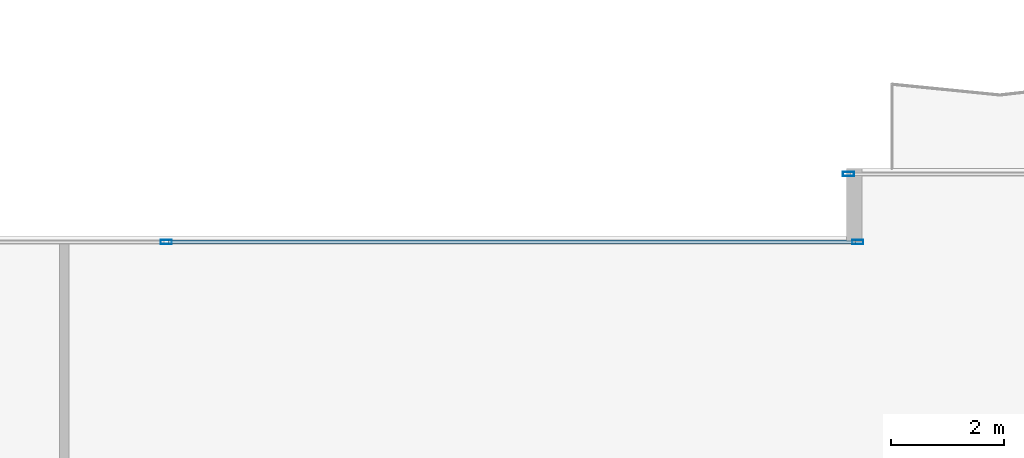
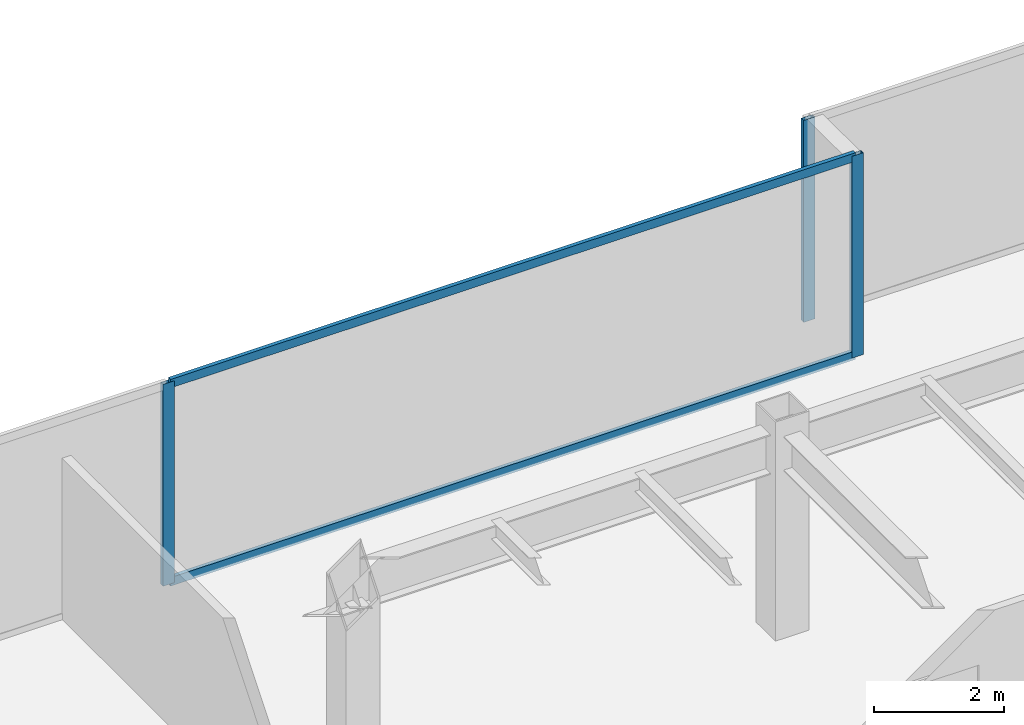
# One storey, part 18 of 31: 5 members, 2 elements without a shape of their own.
"""IFC4 building model written with IfcOpenShell, lengths in metres."""

from ifc_helpers import new_model, si_unit, direction, frame, origin, origin_2d, place, context, subcontext, project, spatial, hollow_rectangle, extrude, source, transform, mapped, material, layer, layer_set, material_profile, profile_set, type_object, type_shapes, element, aggregate, save


model = new_model("IFC4")

# Units and contexts
model_context = context("Model", 3, precision=1e-05, world=origin(), true_north=direction((0.0, 1.0)))
body_context = subcontext(model_context, "Body", "Model", "MODEL_VIEW")
ifc_project = project(units=[si_unit("LENGTHUNIT", "METRE"), si_unit("AREAUNIT", "SQUARE_METRE"), si_unit("VOLUMEUNIT", "CUBIC_METRE"), si_unit("PLANEANGLEUNIT", "RADIAN"), si_unit("MASSUNIT", "GRAM", prefix="KILO")], contexts=[model_context])

# Site, building, storey
site_placement = place(None, origin())
site = spatial("IfcSite", under=ifc_project, at=site_placement, CompositionType="ELEMENT")
building_placement = place(site_placement, origin())
building = spatial("IfcBuilding", under=site, at=building_placement, Name="Haelvirn Gate Laboratories", CompositionType="ELEMENT")
storey_placement = place(building_placement, frame((0.0, 0.0, 62.10009765625)))
storey = spatial("IfcBuildingStorey", under=building, at=storey_placement, Name="L15", CompositionType="ELEMENT", Elevation=62.10009765625)

# Curtain wall, members
ifc_material_1 = material(Name="Anodised bronze unitised aluminium & triple low-E glass", Category="aluminium")
ifc_layer = layer(ifc_material_1, 0.18408203125, Name="CW-SYS-2")
ifc_layer_set = layer_set([ifc_layer], Name="Anodised bronze unitised aluminium & triple low-E glass")
curtain_wall_type = type_object("IfcCurtainWallType", Name="CW-SYS-2", PredefinedType="NOTDEFINED", material=ifc_layer_set)
curtain_wall_1_placement = place(storey_placement, origin())
curtain_wall_1 = element("IfcCurtainWall", 1, at=curtain_wall_1_placement, inside=storey, type_object=curtain_wall_type, Name="L15 Unitised Curtain Wall CW-L15-P0-E12-1", PredefinedType="NOTDEFINED")
ifc_material_2 = material(Name="Extruded aluminium 6063-T6 (anodised bronze)", Category="aluminium")
ifc_material_profile_1 = material_profile(ifc_material_2, hollow_rectangle(XDim=0.070068359375, YDim=0.159912109375, WallThickness=0.0048828125, at=origin_2d()), Name="CWT-160x70x5")
ifc_profile_set_1 = profile_set([ifc_material_profile_1], Name="Extruded aluminium 6063-T6 (anodised bronze)")
member_type_1 = type_object("IfcMemberType", Name="CWT-T160", PredefinedType="USERDEFINED", material=ifc_profile_set_1)
shared_shape_1 = source(origin(), body_context, "Body", "SweptSolid", [
    extrude(hollow_rectangle(XDim=0.070068359375, YDim=0.159912109375, WallThickness=0.0048828125, at=origin_2d()), origin(), (0.0, 0.0, 1.0), 12.12744140625),
])
type_shapes(member_type_1, [shared_shape_1])
member_1_placement = place(storey_placement, frame((37.4375, 47.300048828125, 0.034912109375), z_axis=(1.0, 0.0, 0.0), x_axis=(0.0, 1.0, 0.0)))
member_1 = element("IfcMember", 2, at=member_1_placement, type_object=member_type_1, Name="CW2 transom 2.1", ObjectType="TRANSOM", PredefinedType="USERDEFINED", context=body_context, shape_type="MappedRepresentation", body=[
    mapped(shared_shape_1, transform((0.0, 0.0, 0.0), scale=1.0)),
])
member_2_placement = place(storey_placement, frame((37.4375, 47.300048828125, 3.744873046875), z_axis=(1.0, 0.0, 0.0), x_axis=(0.0, 1.0, 0.0)))
member_2 = element("IfcMember", 3, at=member_2_placement, type_object=member_type_1, Name="CW2 transom 2.2", ObjectType="TRANSOM", PredefinedType="USERDEFINED", context=body_context, shape_type="MappedRepresentation", body=[
    mapped(shared_shape_1, transform((0.0, 0.0, 0.0), scale=1.0)),
])

# Curtain wall, member
curtain_wall_2_placement = place(storey_placement, origin())
curtain_wall_2 = element("IfcCurtainWall", 4, at=curtain_wall_2_placement, inside=storey, type_object=curtain_wall_type, Name="L15 Unitised Curtain Wall CW-L15-P0-E10-1", PredefinedType="NOTDEFINED")
ifc_material_profile_2 = material_profile(ifc_material_2, hollow_rectangle(XDim=0.074951171875, YDim=0.199951171875, WallThickness=0.0048828125, at=origin_2d()), Name="CWM-200x75x5")
ifc_profile_set_2 = profile_set([ifc_material_profile_2], Name="Extruded aluminium 6063-T6 (anodised bronze)")
member_type_2 = type_object("IfcMemberType", Name="CWM-T200", PredefinedType="MULLION", material=ifc_profile_set_2)
shared_shape_2 = source(origin(), body_context, "Body", "SweptSolid", [
    extrude(hollow_rectangle(XDim=0.074951171875, YDim=0.199951171875, WallThickness=0.0048828125, at=origin_2d()), origin(), (0.0, 0.0, 1.0), 3.77978515625),
])
type_shapes(member_type_2, [shared_shape_2])
member_3_placement = place(storey_placement, frame((49.4375, 48.5, 0.0), z_axis=(0.0, 0.0, 1.0), x_axis=(0.0, 1.0, 0.0)))
member_3 = element("IfcMember", 5, at=member_3_placement, type_object=member_type_2, Name="CW2 mullion 1", PredefinedType="MULLION", context=body_context, shape_type="MappedRepresentation", body=[
    mapped(shared_shape_2, transform((0.0, 0.0, 0.0), scale=1.0)),
])
aggregate(curtain_wall_2, [member_3])

# Member
member_4_placement = place(storey_placement, frame((37.39990234375, 47.300048828125, 0.0), z_axis=(0.0, 0.0, 1.0), x_axis=(0.0, 1.0, 0.0)))
member_4 = element("IfcMember", 6, at=member_4_placement, type_object=member_type_2, Name="CW2 mullion 2", PredefinedType="MULLION", context=body_context, shape_type="MappedRepresentation", body=[
    mapped(shared_shape_2, transform((0.0, 0.0, 0.0), scale=1.0)),
])

member_5_placement = place(storey_placement, frame((49.6025390625, 47.300048828125, 0.0), z_axis=(0.0, 0.0, 1.0), x_axis=(0.0, 1.0, 0.0)))
member_5 = element("IfcMember", 7, at=member_5_placement, type_object=member_type_2, Name="CW2 mullion 3", PredefinedType="MULLION", context=body_context, shape_type="MappedRepresentation", body=[
    mapped(shared_shape_2, transform((0.0, 0.0, 0.0), scale=1.0)),
])

aggregate(curtain_wall_1, [member_4, member_5, member_1, member_2])

save(model, "model.ifc")
